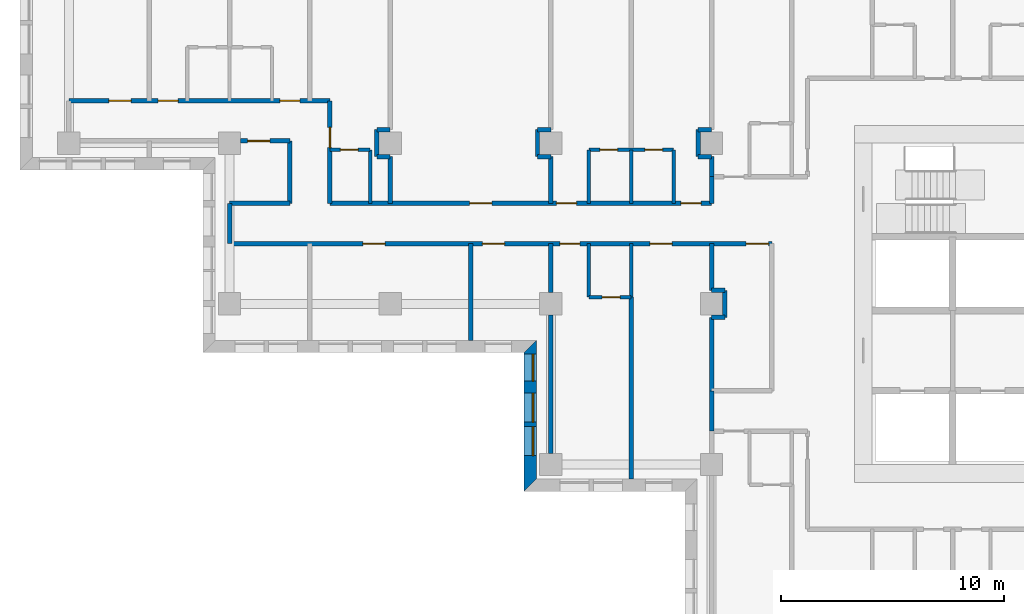
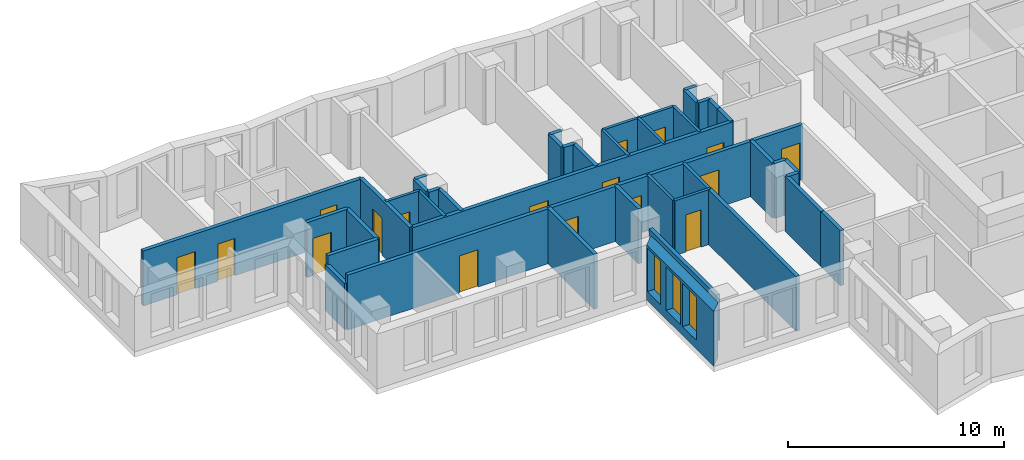
# One storey, part 4 of 13: 41 walls, 17 doors, 3 windows, 20 openings.
"""IFC4 building model written with IfcOpenShell, lengths in metres."""

from ifc_helpers import new_model, si_unit, direction, frame, frame_2d, origin, place, context, subcontext, project, spatial, polyline, rectangle, outline, extrude, material, layer, layer_set, type_object, element, fill, save


model = new_model("IFC4")

# Units and contexts
model_context = context("Model", 3, precision=1e-05, world=origin(), true_north=direction((0.0, 1.0)))
body_context = subcontext(model_context, "Body", "Model", "MODEL_VIEW")
ifc_project = project(units=[si_unit("LENGTHUNIT", "METRE"), si_unit("AREAUNIT", "SQUARE_METRE"), si_unit("VOLUMEUNIT", "CUBIC_METRE"), si_unit("PLANEANGLEUNIT", "RADIAN"), si_unit("MASSUNIT", "GRAM", prefix="KILO")], contexts=[model_context])

# Site, building, storey
site_placement = place(None, origin())
site = spatial("IfcSite", under=ifc_project, at=site_placement, CompositionType="ELEMENT")
building_placement = place(site_placement, origin())
building = spatial("IfcBuilding", under=site, at=building_placement, Name="Windrow Commons", CompositionType="ELEMENT")
storey_placement = place(building_placement, frame((0.0, 0.0, 91.4)))
storey = spatial("IfcBuildingStorey", under=building, at=storey_placement, Name="L24", CompositionType="ELEMENT", Elevation=91.4)

# Wall, openings, windows
ifc_material_1 = material(Name="Brick masonry, red clay brick", Category="masonry")
ifc_layer_1 = layer(ifc_material_1, 0.55)
ifc_layer_set_1 = layer_set([ifc_layer_1], Name="Brick facade wall 550")
wall_type_1 = type_object("IfcWallType", Name="Brick facade wall 550", PredefinedType="SOLIDWALL", material=ifc_layer_set_1)
wall_1_placement = place(storey_placement, frame((42.275, 55.684, 0.0), z_axis=(0.0, 0.0, 1.0), x_axis=(0.0, -1.0, 0.0)))
wall_1 = element("IfcWall", 1, at=wall_1_placement, inside=storey, type_object=wall_type_1, Name="Brick facade wall L24 41", PredefinedType="SOLIDWALL", context=body_context, shape_type="SweptSolid", body=[
    extrude(outline(polyline([(0.275, -0.275), (6.484, -0.275), (5.934, 0.275), (-0.275, 0.275), (0.275, -0.275)])), origin(), (0.0, 0.0, 1.0), 3.1),
])
opening_1_placement = place(wall_1_placement, frame((2.084, 0.0, 0.5)))
opening_1 = element("IfcOpeningElement", 2, at=opening_1_placement, cuts=wall_1, Name="Opening W1P", PredefinedType="OPENING", context=body_context, shape_type="SweptSolid", body=[
    extrude(rectangle(XDim=1.3, YDim=2.45, at=frame_2d((0.65, 1.225))), frame((0.0, 0.285, 0.0), z_axis=(0.0, -1.0, 0.0), x_axis=(1.0, 0.0, 0.0)), (0.0, 0.0, 1.0), 0.57),
])
opening_2_placement = place(wall_1_placement, frame((3.584, 0.0, 0.5)))
opening_2 = element("IfcOpeningElement", 3, at=opening_2_placement, cuts=wall_1, Name="Opening W1P", PredefinedType="OPENING", context=body_context, shape_type="SweptSolid", body=[
    extrude(rectangle(XDim=1.3, YDim=2.45, at=frame_2d((0.65, 1.225))), frame((0.0, 0.285, 0.0), z_axis=(0.0, -1.0, 0.0), x_axis=(1.0, 0.0, 0.0)), (0.0, 0.0, 1.0), 0.57),
])
opening_3_placement = place(wall_1_placement, frame((0.342, 0.0, 0.5)))
opening_3 = element("IfcOpeningElement", 4, at=opening_3_placement, cuts=wall_1, Name="Opening W7D", PredefinedType="OPENING", context=body_context, shape_type="SweptSolid", body=[
    extrude(rectangle(XDim=1.2, YDim=2.45, at=frame_2d((0.6, 1.225))), frame((0.0, 0.285, 0.0), z_axis=(0.0, -1.0, 0.0), x_axis=(1.0, 0.0, 0.0)), (0.0, 0.0, 1.0), 0.57),
])
ifc_material_2 = material(Name="Clear float glass in anodised aluminium frame", Category="aluminium")
window_type_1 = type_object("IfcWindowType", Name="Window W1P pair 1300x2450", PartitioningType="SINGLE_PANEL", PredefinedType="WINDOW", material=ifc_material_2)
window_1_placement = place(opening_1_placement, origin())
window_1 = element("IfcWindow", 5, at=window_1_placement, inside=storey, type_object=window_type_1, Name="Window L24 41.1A", OverallHeight=2.45, OverallWidth=1.3, PartitioningType="SINGLE_PANEL", PredefinedType="WINDOW", context=body_context, shape_type="SweptSolid", body=[
    extrude(rectangle(XDim=1.3, YDim=2.45, at=frame_2d((0.65, 1.225))), frame((0.0, 0.155, 0.0), z_axis=(0.0, -1.0, 0.0), x_axis=(1.0, 0.0, 0.0)), (0.0, 0.0, 1.0), 0.06),
])
fill(opening_1, window_1)
window_2_placement = place(opening_2_placement, origin())
window_2 = element("IfcWindow", 6, at=window_2_placement, inside=storey, type_object=window_type_1, Name="Window L24 41.1B", OverallHeight=2.45, OverallWidth=1.3, PartitioningType="SINGLE_PANEL", PredefinedType="WINDOW", context=body_context, shape_type="SweptSolid", body=[
    extrude(rectangle(XDim=1.3, YDim=2.45, at=frame_2d((0.65, 1.225))), frame((0.0, 0.155, 0.0), z_axis=(0.0, -1.0, 0.0), x_axis=(1.0, 0.0, 0.0)), (0.0, 0.0, 1.0), 0.06),
])
fill(opening_2, window_2)
ifc_material_3 = material(Name="Clear float glass in anodised aluminium frame", Category="aluminium")
window_type_2 = type_object("IfcWindowType", Name="Window W7 notch 1200x2450", PartitioningType="SINGLE_PANEL", PredefinedType="WINDOW", material=ifc_material_3)
window_3_placement = place(opening_3_placement, origin())
window_3 = element("IfcWindow", 7, at=window_3_placement, inside=storey, type_object=window_type_2, Name="Window L24 41.2", OverallHeight=2.45, OverallWidth=1.2, PartitioningType="SINGLE_PANEL", PredefinedType="WINDOW", context=body_context, shape_type="SweptSolid", body=[
    extrude(rectangle(XDim=1.2, YDim=2.45, at=frame_2d((0.6, 1.225))), frame((0.0, 0.155, 0.0), z_axis=(0.0, -1.0, 0.0), x_axis=(1.0, 0.0, 0.0)), (0.0, 0.0, 1.0), 0.06),
])
fill(opening_3, window_3)

# Wall, openings, doors
ifc_material_4 = material(Name="Blockwork partition", Category="masonry")
ifc_layer_2 = layer(ifc_material_4, 0.2)
ifc_layer_set_2 = layer_set([ifc_layer_2], Name="IW-CORRIDOR-200")
wall_type_2 = type_object("IfcWallType", Name="IW-CORRIDOR-200", PredefinedType="PARTITIONING", material=ifc_layer_set_2)
wall_2_placement = place(storey_placement, frame((28.802, 60.3, 0.0), z_axis=(0.0, 0.0, 1.0), x_axis=(1.0, 0.0, 0.0)))
wall_2 = element("IfcWall", 8, at=wall_2_placement, inside=storey, type_object=wall_type_2, Name="W-L24-W000", PredefinedType="PARTITIONING", context=body_context, shape_type="SweptSolid", body=[
    extrude(rectangle(XDim=24.298, YDim=0.2, at=frame_2d((12.149, 0.0))), origin(), (0.0, 0.0, 1.0), 3.1),
])
opening_4_placement = place(wall_2_placement, frame((5.9717, 0.0, 0.0)))
opening_4 = element("IfcOpeningElement", 9, at=opening_4_placement, cuts=wall_2, Name="Opening D310F", PredefinedType="OPENING", context=body_context, shape_type="SweptSolid", body=[
    extrude(rectangle(XDim=1.0, YDim=2.1, at=frame_2d((0.5, 1.05))), frame((0.0, 0.11, 0.0), z_axis=(0.0, -1.0, 0.0), x_axis=(1.0, 0.0, 0.0)), (0.0, 0.0, 1.0), 0.22),
])
opening_5_placement = place(wall_2_placement, frame((11.323, 0.0, 0.0)))
opening_5 = element("IfcOpeningElement", 10, at=opening_5_placement, cuts=wall_2, Name="Opening D310F", PredefinedType="OPENING", context=body_context, shape_type="SweptSolid", body=[
    extrude(rectangle(XDim=1.0, YDim=2.1, at=frame_2d((0.5, 1.05))), frame((0.0, 0.11, 0.0), z_axis=(0.0, -1.0, 0.0), x_axis=(1.0, 0.0, 0.0)), (0.0, 0.0, 1.0), 0.22),
])
opening_6_placement = place(wall_2_placement, frame((14.798, 0.0, 0.0)))
opening_6 = element("IfcOpeningElement", 11, at=opening_6_placement, cuts=wall_2, Name="Opening D109S", PredefinedType="OPENING", context=body_context, shape_type="SweptSolid", body=[
    extrude(rectangle(XDim=0.9, YDim=2.1, at=frame_2d((0.45, 1.05))), frame((0.0, 0.11, 0.0), z_axis=(0.0, -1.0, 0.0), x_axis=(1.0, 0.0, 0.0)), (0.0, 0.0, 1.0), 0.22),
])
opening_7_placement = place(wall_2_placement, frame((18.833, 0.0, 0.0)))
opening_7 = element("IfcOpeningElement", 12, at=opening_7_placement, cuts=wall_2, Name="Opening D310F", PredefinedType="OPENING", context=body_context, shape_type="SweptSolid", body=[
    extrude(rectangle(XDim=1.0, YDim=2.1, at=frame_2d((0.5, 1.05))), frame((0.0, 0.11, 0.0), z_axis=(0.0, -1.0, 0.0), x_axis=(1.0, 0.0, 0.0)), (0.0, 0.0, 1.0), 0.22),
])
opening_8_placement = place(wall_2_placement, frame((23.1515, 0.0, 0.0)))
opening_8 = element("IfcOpeningElement", 13, at=opening_8_placement, cuts=wall_2, Name="Opening D410F", PredefinedType="OPENING", context=body_context, shape_type="SweptSolid", body=[
    extrude(rectangle(XDim=1.0, YDim=2.1, at=frame_2d((0.5, 1.05))), frame((0.0, 0.11, 0.0), z_axis=(0.0, -1.0, 0.0), x_axis=(1.0, 0.0, 0.0)), (0.0, 0.0, 1.0), 0.22),
])
ifc_material_5 = material(Name="Timber door leaf", Category="wood")
door_type_1 = type_object("IfcDoorType", Name="DT-AMENITY-1000", OperationType="SINGLE_SWING_LEFT", PredefinedType="DOOR", material=ifc_material_5)
door_1_placement = place(opening_4_placement, origin())
door_1 = element("IfcDoor", 14, at=door_1_placement, inside=storey, type_object=door_type_1, Name="D-L24-D007", OperationType="SINGLE_SWING_RIGHT", OverallHeight=2.1, OverallWidth=1.0, PredefinedType="DOOR", context=body_context, shape_type="SweptSolid", body=[
    extrude(rectangle(XDim=1.0, YDim=2.1, at=frame_2d((0.5, 1.05))), frame((0.0, 0.025, 0.0), z_axis=(0.0, -1.0, 0.0), x_axis=(1.0, 0.0, 0.0)), (0.0, 0.0, 1.0), 0.05),
])
fill(opening_4, door_1)
door_2_placement = place(opening_5_placement, origin())
door_2 = element("IfcDoor", 15, at=door_2_placement, inside=storey, type_object=door_type_1, Name="D-L24-D015", OperationType="SINGLE_SWING_RIGHT", OverallHeight=2.1, OverallWidth=1.0, PredefinedType="DOOR", context=body_context, shape_type="SweptSolid", body=[
    extrude(rectangle(XDim=1.0, YDim=2.1, at=frame_2d((0.5, 1.05))), frame((0.0, 0.025, 0.0), z_axis=(0.0, -1.0, 0.0), x_axis=(1.0, 0.0, 0.0)), (0.0, 0.0, 1.0), 0.05),
])
fill(opening_5, door_2)
door_3_placement = place(opening_7_placement, origin())
door_3 = element("IfcDoor", 16, at=door_3_placement, inside=storey, type_object=door_type_1, Name="D-L24-D018", OperationType="SINGLE_SWING_RIGHT", OverallHeight=2.1, OverallWidth=1.0, PredefinedType="DOOR", context=body_context, shape_type="SweptSolid", body=[
    extrude(rectangle(XDim=1.0, YDim=2.1, at=frame_2d((0.5, 1.05))), frame((0.0, 0.025, 0.0), z_axis=(0.0, -1.0, 0.0), x_axis=(1.0, 0.0, 0.0)), (0.0, 0.0, 1.0), 0.05),
])
fill(opening_7, door_3)
ifc_material_6 = material(Name="Timber door leaf", Category="wood")
door_type_2 = type_object("IfcDoorType", Name="DT-BEDROOM-900", OperationType="SINGLE_SWING_LEFT", PredefinedType="DOOR", material=ifc_material_6)
door_4_placement = place(opening_6_placement, origin())
door_4 = element("IfcDoor", 17, at=door_4_placement, inside=storey, type_object=door_type_2, Name="D-L24-D016", OperationType="SINGLE_SWING_LEFT", OverallHeight=2.1, OverallWidth=0.9, PredefinedType="DOOR", context=body_context, shape_type="SweptSolid", body=[
    extrude(rectangle(XDim=0.9, YDim=2.1, at=frame_2d((0.45, 1.05))), frame((0.0, 0.025, 0.0), z_axis=(0.0, -1.0, 0.0), x_axis=(1.0, 0.0, 0.0)), (0.0, 0.0, 1.0), 0.05),
])
fill(opening_6, door_4)
ifc_material_7 = material(Name="Timber door leaf", Category="wood")
door_type_3 = type_object("IfcDoorType", Name="DT-SERVICE-1000", OperationType="SINGLE_SWING_LEFT", PredefinedType="DOOR", material=ifc_material_7)
door_5_placement = place(opening_8_placement, origin())
door_5 = element("IfcDoor", 18, at=door_5_placement, inside=storey, type_object=door_type_3, Name="D-L24-D025", OperationType="SINGLE_SWING_LEFT", OverallHeight=2.1, OverallWidth=1.0, PredefinedType="DOOR", context=body_context, shape_type="SweptSolid", body=[
    extrude(rectangle(XDim=1.0, YDim=2.1, at=frame_2d((0.5, 1.05))), frame((0.0, 0.025, 0.0), z_axis=(0.0, -1.0, 0.0), x_axis=(1.0, 0.0, 0.0)), (0.0, 0.0, 1.0), 0.05),
])
fill(opening_8, door_5)

wall_3_placement = place(storey_placement, frame((33.3, 62.1, 0.0), z_axis=(0.0, 0.0, 1.0), x_axis=(1.0, 0.0, 0.0)))
wall_3 = element("IfcWall", 19, at=wall_3_placement, inside=storey, type_object=wall_type_2, Name="W-L24-W004", PredefinedType="PARTITIONING", context=body_context, shape_type="SweptSolid", body=[
    extrude(rectangle(XDim=17.1, YDim=0.2, at=frame_2d((8.55, 0.0))), origin(), (0.0, 0.0, 1.0), 3.1),
])
opening_9_placement = place(wall_3_placement, frame((6.2575, 0.0, 0.0)))
opening_9 = element("IfcOpeningElement", 20, at=opening_9_placement, cuts=wall_3, Name="Opening D310F", PredefinedType="OPENING", context=body_context, shape_type="SweptSolid", body=[
    extrude(rectangle(XDim=1.0, YDim=2.1, at=frame_2d((0.5, 1.05))), frame((0.0, 0.11, 0.0), z_axis=(0.0, -1.0, 0.0), x_axis=(1.0, 0.0, 0.0)), (0.0, 0.0, 1.0), 0.22),
])
opening_10_placement = place(wall_3_placement, frame((10.1483, 0.0, 0.0)))
opening_10 = element("IfcOpeningElement", 21, at=opening_10_placement, cuts=wall_3, Name="Opening D109S", PredefinedType="OPENING", context=body_context, shape_type="SweptSolid", body=[
    extrude(rectangle(XDim=0.9, YDim=2.1, at=frame_2d((0.45, 1.05))), frame((0.0, 0.11, 0.0), z_axis=(0.0, -1.0, 0.0), x_axis=(1.0, 0.0, 0.0)), (0.0, 0.0, 1.0), 0.22),
])
opening_11_placement = place(wall_3_placement, frame((15.7289, 0.0, 0.0)))
opening_11 = element("IfcOpeningElement", 22, at=opening_11_placement, cuts=wall_3, Name="Opening D109S", PredefinedType="OPENING", context=body_context, shape_type="SweptSolid", body=[
    extrude(rectangle(XDim=0.9, YDim=2.1, at=frame_2d((0.45, 1.05))), frame((0.0, 0.11, 0.0), z_axis=(0.0, -1.0, 0.0), x_axis=(1.0, 0.0, 0.0)), (0.0, 0.0, 1.0), 0.22),
])
door_6_placement = place(opening_9_placement, origin())
door_6 = element("IfcDoor", 23, at=door_6_placement, inside=storey, type_object=door_type_1, Name="D-L24-D010", OperationType="SINGLE_SWING_RIGHT", OverallHeight=2.1, OverallWidth=1.0, PredefinedType="DOOR", context=body_context, shape_type="SweptSolid", body=[
    extrude(rectangle(XDim=1.0, YDim=2.1, at=frame_2d((0.5, 1.05))), frame((0.0, 0.025, 0.0), z_axis=(0.0, -1.0, 0.0), x_axis=(1.0, 0.0, 0.0)), (0.0, 0.0, 1.0), 0.05),
])
fill(opening_9, door_6)
door_7_placement = place(opening_10_placement, origin())
door_7 = element("IfcDoor", 24, at=door_7_placement, inside=storey, type_object=door_type_2, Name="D-L24-D011", OperationType="SINGLE_SWING_RIGHT", OverallHeight=2.1, OverallWidth=0.9, PredefinedType="DOOR", context=body_context, shape_type="SweptSolid", body=[
    extrude(rectangle(XDim=0.9, YDim=2.1, at=frame_2d((0.45, 1.05))), frame((0.0, 0.025, 0.0), z_axis=(0.0, -1.0, 0.0), x_axis=(1.0, 0.0, 0.0)), (0.0, 0.0, 1.0), 0.05),
])
fill(opening_10, door_7)
door_8_placement = place(opening_11_placement, origin())
door_8 = element("IfcDoor", 25, at=door_8_placement, inside=storey, type_object=door_type_2, Name="D-L24-D013", OperationType="SINGLE_SWING_LEFT", OverallHeight=2.1, OverallWidth=0.9, PredefinedType="DOOR", context=body_context, shape_type="SweptSolid", body=[
    extrude(rectangle(XDim=0.9, YDim=2.1, at=frame_2d((0.45, 1.05))), frame((0.0, 0.025, 0.0), z_axis=(0.0, -1.0, 0.0), x_axis=(1.0, 0.0, 0.0)), (0.0, 0.0, 1.0), 0.05),
])
fill(opening_11, door_8)

wall_4_placement = place(storey_placement, frame((21.602, 66.7, 0.0), z_axis=(0.0, 0.0, 1.0), x_axis=(1.0, 0.0, 0.0)))
wall_4 = element("IfcWall", 26, at=wall_4_placement, inside=storey, type_object=wall_type_2, Name="W-L24-W006", PredefinedType="PARTITIONING", context=body_context, shape_type="SweptSolid", body=[
    extrude(rectangle(XDim=11.698, YDim=0.2, at=frame_2d((5.849, 0.0))), origin(), (0.0, 0.0, 1.0), 3.1),
])
opening_12_placement = place(wall_4_placement, frame((1.7901, 0.0, 0.0)))
opening_12 = element("IfcOpeningElement", 27, at=opening_12_placement, cuts=wall_4, Name="Opening D310F", PredefinedType="OPENING", context=body_context, shape_type="SweptSolid", body=[
    extrude(rectangle(XDim=1.0, YDim=2.1, at=frame_2d((0.5, 1.05))), frame((0.0, 0.11, 0.0), z_axis=(0.0, -1.0, 0.0), x_axis=(1.0, 0.0, 0.0)), (0.0, 0.0, 1.0), 0.22),
])
opening_13_placement = place(wall_4_placement, frame((3.998, 0.0, 0.0)))
opening_13 = element("IfcOpeningElement", 28, at=opening_13_placement, cuts=wall_4, Name="Opening D109S", PredefinedType="OPENING", context=body_context, shape_type="SweptSolid", body=[
    extrude(rectangle(XDim=0.9, YDim=2.1, at=frame_2d((0.45, 1.05))), frame((0.0, 0.11, 0.0), z_axis=(0.0, -1.0, 0.0), x_axis=(1.0, 0.0, 0.0)), (0.0, 0.0, 1.0), 0.22),
])
opening_14_placement = place(wall_4_placement, frame((9.448, 0.0, 0.0)))
opening_14 = element("IfcOpeningElement", 29, at=opening_14_placement, cuts=wall_4, Name="Opening D109S", PredefinedType="OPENING", context=body_context, shape_type="SweptSolid", body=[
    extrude(rectangle(XDim=0.9, YDim=2.1, at=frame_2d((0.45, 1.05))), frame((0.0, 0.11, 0.0), z_axis=(0.0, -1.0, 0.0), x_axis=(1.0, 0.0, 0.0)), (0.0, 0.0, 1.0), 0.22),
])
door_9_placement = place(opening_12_placement, origin())
door_9 = element("IfcDoor", 30, at=door_9_placement, inside=storey, type_object=door_type_1, Name="D-L24-D001", OperationType="SINGLE_SWING_RIGHT", OverallHeight=2.1, OverallWidth=1.0, PredefinedType="DOOR", context=body_context, shape_type="SweptSolid", body=[
    extrude(rectangle(XDim=1.0, YDim=2.1, at=frame_2d((0.5, 1.05))), frame((0.0, 0.025, 0.0), z_axis=(0.0, -1.0, 0.0), x_axis=(1.0, 0.0, 0.0)), (0.0, 0.0, 1.0), 0.05),
])
fill(opening_12, door_9)
door_10_placement = place(opening_13_placement, origin())
door_10 = element("IfcDoor", 31, at=door_10_placement, inside=storey, type_object=door_type_2, Name="D-L24-D002", OperationType="SINGLE_SWING_LEFT", OverallHeight=2.1, OverallWidth=0.9, PredefinedType="DOOR", context=body_context, shape_type="SweptSolid", body=[
    extrude(rectangle(XDim=0.9, YDim=2.1, at=frame_2d((0.45, 1.05))), frame((0.0, 0.025, 0.0), z_axis=(0.0, -1.0, 0.0), x_axis=(1.0, 0.0, 0.0)), (0.0, 0.0, 1.0), 0.05),
])
fill(opening_13, door_10)
door_11_placement = place(opening_14_placement, origin())
door_11 = element("IfcDoor", 32, at=door_11_placement, inside=storey, type_object=door_type_2, Name="D-L24-D004", OperationType="SINGLE_SWING_RIGHT", OverallHeight=2.1, OverallWidth=0.9, PredefinedType="DOOR", context=body_context, shape_type="SweptSolid", body=[
    extrude(rectangle(XDim=0.9, YDim=2.1, at=frame_2d((0.45, 1.05))), frame((0.0, 0.025, 0.0), z_axis=(0.0, -1.0, 0.0), x_axis=(1.0, 0.0, 0.0)), (0.0, 0.0, 1.0), 0.05),
])
fill(opening_14, door_11)

# Wall, opening, door
wall_5_placement = place(storey_placement, frame((33.3, 62.102, 0.0), z_axis=(0.0, 0.0, 1.0), x_axis=(0.0, 1.0, 0.0)))
wall_5 = element("IfcWall", 33, at=wall_5_placement, inside=storey, type_object=wall_type_2, Name="W-L24-W045", PredefinedType="PARTITIONING", context=body_context, shape_type="SweptSolid", body=[
    extrude(rectangle(XDim=4.598, YDim=0.2, at=frame_2d((2.299, 0.0))), origin(), (0.0, 0.0, 1.0), 3.1),
])
opening_15_placement = place(wall_5_placement, frame((2.5013, 0.0, 0.0)))
opening_15 = element("IfcOpeningElement", 34, at=opening_15_placement, cuts=wall_5, Name="Opening D109S", PredefinedType="OPENING", context=body_context, shape_type="SweptSolid", body=[
    extrude(rectangle(XDim=0.9, YDim=2.1, at=frame_2d((0.45, 1.05))), frame((0.0, 0.11, 0.0), z_axis=(0.0, -1.0, 0.0), x_axis=(1.0, 0.0, 0.0)), (0.0, 0.0, 1.0), 0.22),
])
door_12_placement = place(opening_15_placement, origin())
door_12 = element("IfcDoor", 35, at=door_12_placement, inside=storey, type_object=door_type_2, Name="D-L24-D008", OperationType="SINGLE_SWING_LEFT", OverallHeight=2.1, OverallWidth=0.9, PredefinedType="DOOR", context=body_context, shape_type="SweptSolid", body=[
    extrude(rectangle(XDim=0.9, YDim=2.1, at=frame_2d((0.45, 1.05))), frame((0.0, 0.025, 0.0), z_axis=(0.0, -1.0, 0.0), x_axis=(1.0, 0.0, 0.0)), (0.0, 0.0, 1.0), 0.05),
])
fill(opening_15, door_12)

# Walls
wall_6_placement = place(storey_placement, frame((31.5, 62.102, 0.0), z_axis=(0.0, 0.0, 1.0), x_axis=(0.0, 1.0, 0.0)))
element("IfcWall", 36, at=wall_6_placement, inside=storey, type_object=wall_type_2, Name="W-L24-W063", PredefinedType="PARTITIONING", context=body_context, shape_type="SweptSolid", body=[
    extrude(rectangle(XDim=2.796, YDim=0.2, at=frame_2d((1.398, 0.0))), origin(), (0.0, 0.0, 1.0), 3.1),
])
wall_7_placement = place(storey_placement, frame((28.802, 62.1, 0.0), z_axis=(0.0, 0.0, 1.0), x_axis=(1.0, 0.0, 0.0)))
element("IfcWall", 37, at=wall_7_placement, inside=storey, type_object=wall_type_2, Name="W-L24-W067", PredefinedType="PARTITIONING", context=body_context, shape_type="SweptSolid", body=[
    extrude(rectangle(XDim=2.698, YDim=0.2, at=frame_2d((1.349, 0.0))), origin(), (0.0, 0.0, 1.0), 3.1),
])

# Wall, opening, door
wall_8_placement = place(storey_placement, frame((29.3, 64.9, 0.0), z_axis=(0.0, 0.0, 1.0), x_axis=(1.0, 0.0, 0.0)))
wall_8 = element("IfcWall", 38, at=wall_8_placement, inside=storey, type_object=wall_type_2, Name="W-L24-W116", PredefinedType="PARTITIONING", context=body_context, shape_type="SweptSolid", body=[
    extrude(rectangle(XDim=2.2, YDim=0.2, at=frame_2d((1.1, 0.0))), origin(), (0.0, 0.0, 1.0), 3.1),
])
opening_16_placement = place(wall_8_placement, frame((0.3098, 0.0, 0.0)))
opening_16 = element("IfcOpeningElement", 39, at=opening_16_placement, cuts=wall_8, Name="Opening D310F", PredefinedType="OPENING", context=body_context, shape_type="SweptSolid", body=[
    extrude(rectangle(XDim=1.0, YDim=2.1, at=frame_2d((0.5, 1.05))), frame((0.0, 0.11, 0.0), z_axis=(0.0, -1.0, 0.0), x_axis=(1.0, 0.0, 0.0)), (0.0, 0.0, 1.0), 0.22),
])
door_13_placement = place(opening_16_placement, origin())
door_13 = element("IfcDoor", 40, at=door_13_placement, inside=storey, type_object=door_type_1, Name="D-L24-D006", OperationType="SINGLE_SWING_RIGHT", OverallHeight=2.1, OverallWidth=1.0, PredefinedType="DOOR", context=body_context, shape_type="SweptSolid", body=[
    extrude(rectangle(XDim=1.0, YDim=2.1, at=frame_2d((0.5, 1.05))), frame((0.0, 0.025, 0.0), z_axis=(0.0, -1.0, 0.0), x_axis=(1.0, 0.0, 0.0)), (0.0, 0.0, 1.0), 0.05),
])
fill(opening_16, door_13)

# Walls
wall_9_placement = place(storey_placement, frame((50.4, 51.9, 0.0), z_axis=(0.0, 0.0, 1.0), x_axis=(0.0, 1.0, 0.0)))
element("IfcWall", 41, at=wall_9_placement, inside=storey, type_object=wall_type_2, Name="W-L24-W152", PredefinedType="PARTITIONING", context=body_context, shape_type="SweptSolid", body=[
    extrude(rectangle(XDim=1.8, YDim=0.2, at=frame_2d((0.9, 0.0))), origin(), (0.0, 0.0, 1.0), 3.1),
])
wall_10_placement = place(storey_placement, frame((28.8, 60.302, 0.0), z_axis=(0.0, 0.0, 1.0), x_axis=(0.0, 1.0, 0.0)))
element("IfcWall", 42, at=wall_10_placement, inside=storey, type_object=wall_type_2, Name="W-L24-W153", PredefinedType="PARTITIONING", context=body_context, shape_type="SweptSolid", body=[
    extrude(rectangle(XDim=1.798, YDim=0.2, at=frame_2d((0.899, 0.0))), origin(), (0.0, 0.0, 1.0), 2.6),
])
wall_11_placement = place(storey_placement, frame((50.4, 62.102, 0.0), z_axis=(0.0, 0.0, 1.0), x_axis=(0.0, 1.0, 0.0)))
element("IfcWall", 43, at=wall_11_placement, inside=storey, type_object=wall_type_2, Name="W-L24-W178", PredefinedType="PARTITIONING", context=body_context, shape_type="SweptSolid", body=[
    extrude(rectangle(XDim=1.198, YDim=0.2, at=frame_2d((0.599, 0.0))), origin(), (0.0, 0.0, 1.0), 3.1),
])

# Wall, openings, doors
ifc_material_8 = material(Name="Blockwork partition", Category="masonry")
ifc_layer_3 = layer(ifc_material_8, 0.15)
ifc_layer_set_3 = layer_set([ifc_layer_3], Name="IW-ENSUITE-150")
wall_type_3 = type_object("IfcWallType", Name="IW-ENSUITE-150", PredefinedType="PARTITIONING", material=ifc_layer_set_3)
wall_12_placement = place(storey_placement, frame((44.9, 64.5, 0.0), z_axis=(0.0, 0.0, 1.0), x_axis=(1.0, 0.0, 0.0)))
wall_12 = element("IfcWall", 44, at=wall_12_placement, inside=storey, type_object=wall_type_3, Name="W-L24-W054", PredefinedType="PARTITIONING", context=body_context, shape_type="SweptSolid", body=[
    extrude(rectangle(XDim=3.8, YDim=0.15, at=frame_2d((1.9, 0.0))), origin(), (0.0, 0.0, 1.0), 3.1),
])
opening_17_placement = place(wall_12_placement, frame((0.4931, 0.0, 0.0)))
opening_17 = element("IfcOpeningElement", 45, at=opening_17_placement, cuts=wall_12, Name="Opening D208N", PredefinedType="OPENING", context=body_context, shape_type="SweptSolid", body=[
    extrude(rectangle(XDim=0.8, YDim=2.1, at=frame_2d((0.4, 1.05))), frame((0.0, 0.085, 0.0), z_axis=(0.0, -1.0, 0.0), x_axis=(1.0, 0.0, 0.0)), (0.0, 0.0, 1.0), 0.17),
])
opening_18_placement = place(wall_12_placement, frame((2.5069, 0.0, 0.0)))
opening_18 = element("IfcOpeningElement", 46, at=opening_18_placement, cuts=wall_12, Name="Opening D208N", PredefinedType="OPENING", context=body_context, shape_type="SweptSolid", body=[
    extrude(rectangle(XDim=0.8, YDim=2.1, at=frame_2d((0.4, 1.05))), frame((0.0, 0.085, 0.0), z_axis=(0.0, -1.0, 0.0), x_axis=(1.0, 0.0, 0.0)), (0.0, 0.0, 1.0), 0.17),
])
ifc_material_9 = material(Name="Timber door leaf", Category="wood")
door_type_4 = type_object("IfcDoorType", Name="DT-ENSUITE-800", OperationType="SINGLE_SWING_LEFT", PredefinedType="DOOR", material=ifc_material_9)
door_14_placement = place(opening_17_placement, origin())
door_14 = element("IfcDoor", 47, at=door_14_placement, inside=storey, type_object=door_type_4, Name="D-L24-D012", OperationType="SINGLE_SWING_RIGHT", OverallHeight=2.1, OverallWidth=0.8, PredefinedType="DOOR", context=body_context, shape_type="SweptSolid", body=[
    extrude(rectangle(XDim=0.8, YDim=2.1, at=frame_2d((0.4, 1.05))), frame((0.0, 0.025, 0.0), z_axis=(0.0, -1.0, 0.0), x_axis=(1.0, 0.0, 0.0)), (0.0, 0.0, 1.0), 0.05),
])
fill(opening_17, door_14)
door_15_placement = place(opening_18_placement, origin())
door_15 = element("IfcDoor", 48, at=door_15_placement, inside=storey, type_object=door_type_4, Name="D-L24-D014", OperationType="SINGLE_SWING_RIGHT", OverallHeight=2.1, OverallWidth=0.8, PredefinedType="DOOR", context=body_context, shape_type="SweptSolid", body=[
    extrude(rectangle(XDim=0.8, YDim=2.1, at=frame_2d((0.4, 1.05))), frame((0.0, 0.025, 0.0), z_axis=(0.0, -1.0, 0.0), x_axis=(1.0, 0.0, 0.0)), (0.0, 0.0, 1.0), 0.05),
])
fill(opening_18, door_15)

# Walls
for number, where, z_axis, x_axis, name in (
    (49, (35.1, 62.1, 0.0), (0.0, 0.0, 1.0), (0.0, 1.0, 0.0), "W-L24-W077"),
    (50, (44.9, 57.9, 0.0), (0.0, 0.0, 1.0), (0.0, 1.0, 0.0), "W-L24-W078"),
    (51, (44.9, 62.1, 0.0), (0.0, 0.0, 1.0), (0.0, 1.0, 0.0), "W-L24-W079"),
    (52, (46.8, 57.9, 0.0), (0.0, 0.0, 1.0), (0.0, 1.0, 0.0), "W-L24-W080"),
    (53, (46.8, 62.1, 0.0), (0.0, 0.0, 1.0), (0.0, 1.0, 0.0), "W-L24-W081"),
    (54, (48.7, 62.1, 0.0), (0.0, 0.0, 1.0), (0.0, 1.0, 0.0), "W-L24-W082"),
):
    element("IfcWall", number, at=place(storey_placement, frame(where, z_axis=z_axis, x_axis=x_axis)), inside=storey, type_object=wall_type_3, Name=name, PredefinedType="PARTITIONING", context=body_context, shape_type="SweptSolid", body=[
        extrude(rectangle(XDim=2.4, YDim=0.15, at=frame_2d((1.2, 0.0))), origin(), (0.0, 0.0, 1.0), 3.1),
    ])

# Wall, opening, door
wall_13_placement = place(storey_placement, frame((44.9, 57.9, 0.0), z_axis=(0.0, 0.0, 1.0), x_axis=(1.0, 0.0, 0.0)))
wall_13 = element("IfcWall", 55, at=wall_13_placement, inside=storey, type_object=wall_type_3, Name="W-L24-W138", PredefinedType="PARTITIONING", context=body_context, shape_type="SweptSolid", body=[
    extrude(rectangle(XDim=1.9, YDim=0.15, at=frame_2d((0.95, 0.0))), origin(), (0.0, 0.0, 1.0), 3.1),
])
opening_19_placement = place(wall_13_placement, frame((0.5979, 0.0, 0.0)))
opening_19 = element("IfcOpeningElement", 56, at=opening_19_placement, cuts=wall_13, Name="Opening D208N", PredefinedType="OPENING", context=body_context, shape_type="SweptSolid", body=[
    extrude(rectangle(XDim=0.8, YDim=2.1, at=frame_2d((0.4, 1.05))), frame((0.0, 0.085, 0.0), z_axis=(0.0, -1.0, 0.0), x_axis=(1.0, 0.0, 0.0)), (0.0, 0.0, 1.0), 0.17),
])
door_16_placement = place(opening_19_placement, origin())
door_16 = element("IfcDoor", 57, at=door_16_placement, inside=storey, type_object=door_type_4, Name="D-L24-D017", OperationType="SINGLE_SWING_RIGHT", OverallHeight=2.1, OverallWidth=0.8, PredefinedType="DOOR", context=body_context, shape_type="SweptSolid", body=[
    extrude(rectangle(XDim=0.8, YDim=2.1, at=frame_2d((0.4, 1.05))), frame((0.0, 0.025, 0.0), z_axis=(0.0, -1.0, 0.0), x_axis=(1.0, 0.0, 0.0)), (0.0, 0.0, 1.0), 0.05),
])
fill(opening_19, door_16)

wall_14_placement = place(storey_placement, frame((33.3, 64.5, 0.0), z_axis=(0.0, 0.0, 1.0), x_axis=(1.0, 0.0, 0.0)))
wall_14 = element("IfcWall", 58, at=wall_14_placement, inside=storey, type_object=wall_type_3, Name="W-L24-W151", PredefinedType="PARTITIONING", context=body_context, shape_type="SweptSolid", body=[
    extrude(rectangle(XDim=1.8, YDim=0.15, at=frame_2d((0.9, 0.0))), origin(), (0.0, 0.0, 1.0), 3.1),
])
opening_20_placement = place(wall_14_placement, frame((0.4657, 0.0, 0.0)))
opening_20 = element("IfcOpeningElement", 59, at=opening_20_placement, cuts=wall_14, Name="Opening D208N", PredefinedType="OPENING", context=body_context, shape_type="SweptSolid", body=[
    extrude(rectangle(XDim=0.8, YDim=2.1, at=frame_2d((0.4, 1.05))), frame((0.0, 0.085, 0.0), z_axis=(0.0, -1.0, 0.0), x_axis=(1.0, 0.0, 0.0)), (0.0, 0.0, 1.0), 0.17),
])
door_17_placement = place(opening_20_placement, origin())
door_17 = element("IfcDoor", 60, at=door_17_placement, inside=storey, type_object=door_type_4, Name="D-L24-D009", OperationType="SINGLE_SWING_RIGHT", OverallHeight=2.1, OverallWidth=0.8, PredefinedType="DOOR", context=body_context, shape_type="SweptSolid", body=[
    extrude(rectangle(XDim=0.8, YDim=2.1, at=frame_2d((0.4, 1.05))), frame((0.0, 0.025, 0.0), z_axis=(0.0, -1.0, 0.0), x_axis=(1.0, 0.0, 0.0)), (0.0, 0.0, 1.0), 0.05),
])
fill(opening_20, door_17)

# Walls
ifc_material_10 = material(Name="Blockwork partition", Category="masonry")
ifc_layer_4 = layer(ifc_material_10, 0.2)
ifc_layer_set_4 = layer_set([ifc_layer_4], Name="IW-PARTY-200")
wall_type_4 = type_object("IfcWallType", Name="IW-PARTY-200", PredefinedType="PARTITIONING", material=ifc_layer_set_4)
wall_15_placement = place(storey_placement, frame((46.8, 49.75, 0.0), z_axis=(0.0, 0.0, 1.0), x_axis=(0.0, 1.0, 0.0)))
element("IfcWall", 61, at=wall_15_placement, inside=storey, type_object=wall_type_4, Name="W-L24-W017", PredefinedType="PARTITIONING", context=body_context, shape_type="SweptSolid", body=[
    extrude(rectangle(XDim=8.15, YDim=0.2, at=frame_2d((4.075, 0.0))), origin(), (0.0, 0.0, 1.0), 3.1),
])
wall_16_placement = place(storey_placement, frame((43.2, 50.9, 0.0), z_axis=(0.0, 0.0, 1.0), x_axis=(0.0, 1.0, 0.0)))
element("IfcWall", 62, at=wall_16_placement, inside=storey, type_object=wall_type_4, Name="W-L24-W026", PredefinedType="PARTITIONING", context=body_context, shape_type="SweptSolid", body=[
    extrude(rectangle(XDim=6.2, YDim=0.2, at=frame_2d((3.1, 0.0))), origin(), (0.0, 0.0, 1.0), 2.6),
])
wall_17_placement = place(storey_placement, frame((39.6, 55.959, 0.0), z_axis=(0.0, 0.0, 1.0), x_axis=(0.0, 1.0, 0.0)))
element("IfcWall", 63, at=wall_17_placement, inside=storey, type_object=wall_type_4, Name="W-L24-W053", PredefinedType="PARTITIONING", context=body_context, shape_type="SweptSolid", body=[
    extrude(rectangle(XDim=4.341, YDim=0.2, at=frame_2d((2.1705, 0.0))), origin(), (0.0, 0.0, 1.0), 3.1),
])
wall_18_placement = place(storey_placement, frame((50.4, 53.7, 0.0), z_axis=(0.0, 0.0, 1.0), x_axis=(0.0, 1.0, 0.0)))
element("IfcWall", 64, at=wall_18_placement, inside=storey, type_object=wall_type_4, Name="W-L24-W061", PredefinedType="PARTITIONING", context=body_context, shape_type="SweptSolid", body=[
    extrude(rectangle(XDim=3.296, YDim=0.2, at=frame_2d((1.648, 0.0))), origin(), (0.0, 0.0, 1.0), 3.1),
])
wall_19_placement = place(storey_placement, frame((43.2, 58.1, 0.0), z_axis=(0.0, 0.0, 1.0), x_axis=(0.0, 1.0, 0.0)))
element("IfcWall", 65, at=wall_19_placement, inside=storey, type_object=wall_type_4, Name="W-L24-W117", PredefinedType="PARTITIONING", context=body_context, shape_type="SweptSolid", body=[
    extrude(rectangle(XDim=2.2, YDim=0.2, at=frame_2d((1.1, 0.0))), origin(), (0.0, 0.0, 1.0), 3.1),
])
for number, where, z_axis, x_axis, name in (
    (66, (36.0, 62.1, 0.0), (0.0, 0.0, 1.0), (0.0, 1.0, 0.0), "W-L24-W121"),
    (67, (43.2, 62.1, 0.0), (0.0, 0.0, 1.0), (0.0, 1.0, 0.0), "W-L24-W122"),
):
    element("IfcWall", number, at=place(storey_placement, frame(where, z_axis=z_axis, x_axis=x_axis)), inside=storey, type_object=wall_type_4, Name=name, PredefinedType="PARTITIONING", context=body_context, shape_type="SweptSolid", body=[
        extrude(rectangle(XDim=2.096, YDim=0.2, at=frame_2d((1.048, 0.0))), origin(), (0.0, 0.0, 1.0), 3.1),
    ])
wall_20_placement = place(storey_placement, frame((50.4, 58.206, 0.0), z_axis=(0.0, 0.0, 1.0), x_axis=(0.0, 1.0, 0.0)))
element("IfcWall", 68, at=wall_20_placement, inside=storey, type_object=wall_type_4, Name="W-L24-W123", PredefinedType="PARTITIONING", context=body_context, shape_type="SweptSolid", body=[
    extrude(rectangle(XDim=2.094, YDim=0.2, at=frame_2d((1.047, 0.0))), origin(), (0.0, 0.0, 1.0), 3.1),
])
wall_21_placement = place(storey_placement, frame((51.0, 56.996, 0.0), z_axis=(0.0, 0.0, 1.0), x_axis=(0.0, 1.0, 0.0)))
element("IfcWall", 69, at=wall_21_placement, inside=storey, type_object=wall_type_4, Name="W-L24-W174", PredefinedType="PARTITIONING", context=body_context, shape_type="SweptSolid", body=[
    extrude(rectangle(XDim=1.21, YDim=0.2, at=frame_2d((0.605, 0.0))), origin(), (0.0, 0.0, 1.0), 3.1),
])
for number, where, z_axis, x_axis, name in (
    (70, (35.4, 64.196, 0.0), (0.0, 0.0, 1.0), (0.0, 1.0, 0.0), "W-L24-W175"),
    (71, (42.6, 64.196, 0.0), (0.0, 0.0, 1.0), (0.0, 1.0, 0.0), "W-L24-W176"),
    (72, (49.8, 64.196, 0.0), (0.0, 0.0, 1.0), (0.0, 1.0, 0.0), "W-L24-W177"),
):
    element("IfcWall", number, at=place(storey_placement, frame(where, z_axis=z_axis, x_axis=x_axis)), inside=storey, type_object=wall_type_4, Name=name, PredefinedType="PARTITIONING", context=body_context, shape_type="SweptSolid", body=[
        extrude(rectangle(XDim=1.208, YDim=0.2, at=frame_2d((0.604, 0.0))), origin(), (0.0, 0.0, 1.0), 3.1),
    ])
wall_22_placement = place(storey_placement, frame((50.4, 63.3, 0.0), z_axis=(0.0, 0.0, 1.0), x_axis=(0.0, 1.0, 0.0)))
element("IfcWall", 73, at=wall_22_placement, inside=storey, type_object=wall_type_4, Name="W-L24-W184", PredefinedType="PARTITIONING", context=body_context, shape_type="SweptSolid", body=[
    extrude(rectangle(XDim=0.896, YDim=0.2, at=frame_2d((0.448, 0.0))), origin(), (0.0, 0.0, 1.0), 3.1),
])
for number, where, z_axis, x_axis, name in (
    (74, (35.4, 65.4, 0.0), (0.0, 0.0, 1.0), (1.0, 0.0, 0.0), "W-L24-W195"),
    (75, (42.6, 65.4, 0.0), (0.0, 0.0, 1.0), (1.0, 0.0, 0.0), "W-L24-W196"),
    (76, (49.8, 65.4, 0.0), (0.0, 0.0, 1.0), (1.0, 0.0, 0.0), "W-L24-W197"),
    (77, (35.4, 64.2, 0.0), (0.0, 0.0, 1.0), (1.0, 0.0, 0.0), "W-L24-W198"),
    (78, (42.6, 64.2, 0.0), (0.0, 0.0, 1.0), (1.0, 0.0, 0.0), "W-L24-W199"),
    (79, (49.8, 64.2, 0.0), (0.0, 0.0, 1.0), (1.0, 0.0, 0.0), "W-L24-W200"),
    (80, (50.4, 58.21, 0.0), (0.0, 0.0, 1.0), (1.0, 0.0, 0.0), "W-L24-W201"),
    (81, (50.4, 57.0, 0.0), (0.0, 0.0, 1.0), (1.0, 0.0, 0.0), "W-L24-W202"),
):
    element("IfcWall", number, at=place(storey_placement, frame(where, z_axis=z_axis, x_axis=x_axis)), inside=storey, type_object=wall_type_4, Name=name, PredefinedType="PARTITIONING", context=body_context, shape_type="SweptSolid", body=[
        extrude(rectangle(XDim=0.6, YDim=0.2, at=frame_2d((0.3, 0.0))), origin(), (0.0, 0.0, 1.0), 3.1),
    ])

save(model, "model.ifc")
